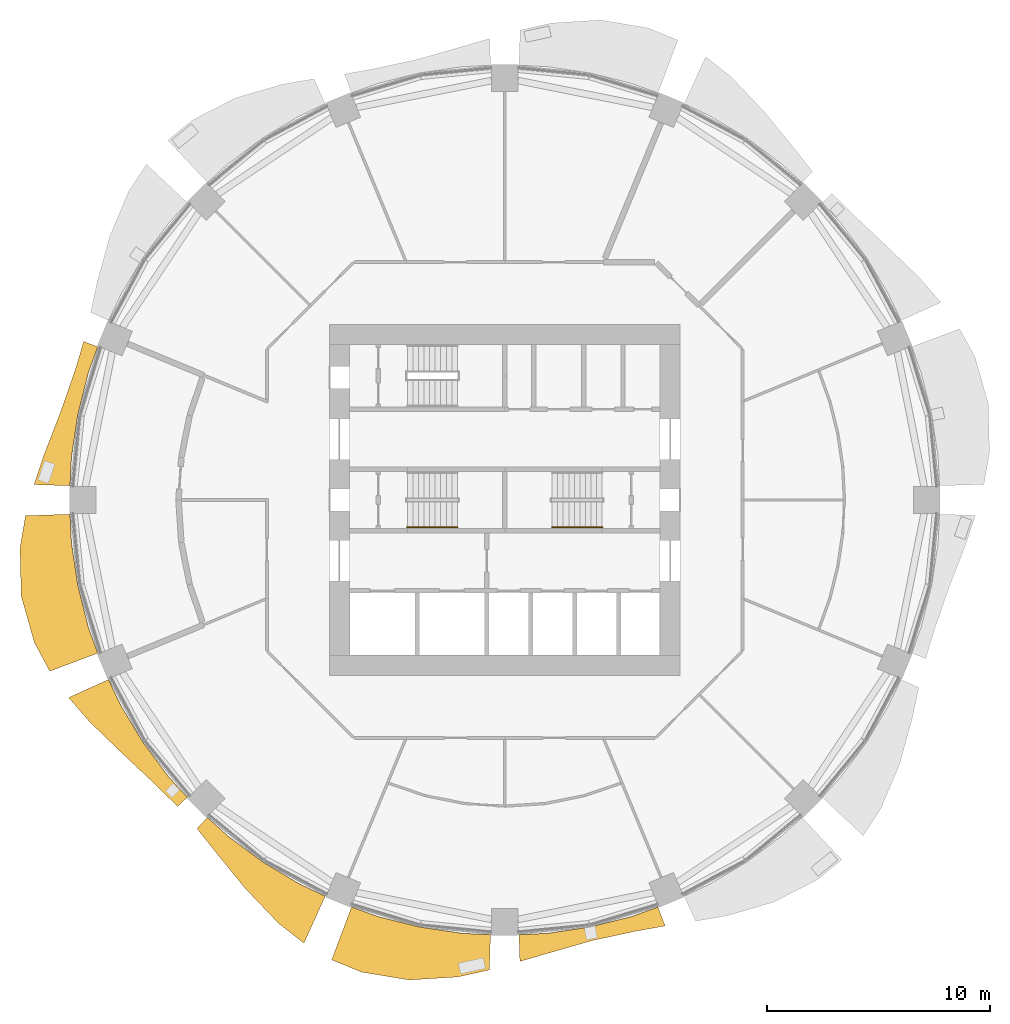
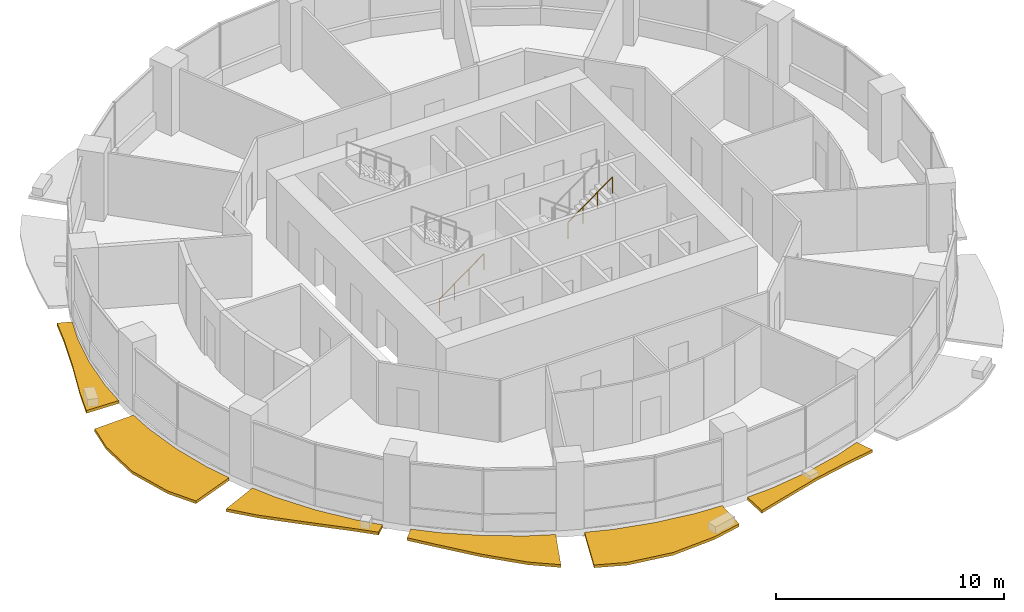
# One storey, part 12 of 15: 6 shading devices, 2 railings.
"""IFC4 building model written with IfcOpenShell, lengths in metres."""

from ifc_helpers import new_model, si_unit, direction, frame, origin, origin_2d, place, context, subcontext, project, spatial, polyline, circle, outline, extrude, material, type_object, element, save


model = new_model("IFC4")

# Units and contexts
model_context = context("Model", 3, precision=1e-05, world=origin(), true_north=direction((0.0, 1.0)))
body_context = subcontext(model_context, "Body", "Model", "MODEL_VIEW")
ifc_project = project(units=[si_unit("LENGTHUNIT", "METRE"), si_unit("AREAUNIT", "SQUARE_METRE"), si_unit("VOLUMEUNIT", "CUBIC_METRE"), si_unit("PLANEANGLEUNIT", "RADIAN"), si_unit("MASSUNIT", "GRAM", prefix="KILO")], contexts=[model_context])

# Site, building, storey
site_placement = place(None, origin())
site = spatial("IfcSite", under=ifc_project, at=site_placement, CompositionType="ELEMENT")
building_placement = place(site_placement, origin())
building = spatial("IfcBuilding", under=site, at=building_placement, Name="Polderwave Tower", CompositionType="ELEMENT")
storey_placement = place(building_placement, frame((0.0, 0.0, 59.050048828125)))
storey = spatial("IfcBuildingStorey", under=building, at=storey_placement, Name="L15", CompositionType="ELEMENT", Elevation=59.050048828125)

# Railings
ifc_material_1 = material(Name="Stainless steel", Category="steel")
railing_type = type_object("IfcRailingType", Name="Stair handrail 900", PredefinedType="HANDRAIL", material=ifc_material_1)
railing_1_placement = place(storey_placement, frame((-4.3740234375, -1.22509765625, 0.182373046875)))
element("IfcRailing", 1, at=railing_1_placement, inside=storey, type_object=railing_type, Name="L15 ST-A stair handrail 1", PredefinedType="HANDRAIL", context=body_context, shape_type="SweptSolid", body=[
    extrude(circle(Radius=0.02392578125, at=origin_2d()), frame((0.0, 0.0, 0.8759765625), z_axis=(0.807673635365, 0.0, 0.58962979804), x_axis=(0.0, 1.0, 0.0)), (0.0, 0.0, 1.0), 2.785888671875),
    extrude(circle(Radius=0.02099609375, at=origin_2d()), origin(), (0.0, 0.0, 1.0), 0.851806640625),
    extrude(circle(Radius=0.02099609375, at=origin_2d()), frame((0.75, 0.0, 0.547607421875)), (0.0, 0.0, 1.0), 0.851806640625),
    extrude(circle(Radius=0.02099609375, at=origin_2d()), frame((1.5, 0.0, 1.094970703125)), (0.0, 0.0, 1.0), 0.851806640625),
    extrude(circle(Radius=0.02099609375, at=origin_2d()), frame((2.25, 0.0, 1.642578125)), (0.0, 0.0, 1.0), 0.851806640625),
])
railing_2_placement = place(storey_placement, frame((2.1240234375, -1.22509765625, 2.007568359375)))
element("IfcRailing", 2, at=railing_2_placement, inside=storey, type_object=railing_type, Name="L15 ST-B stair handrail 2", PredefinedType="HANDRAIL", context=body_context, shape_type="SweptSolid", body=[
    extrude(circle(Radius=0.02392578125, at=origin_2d()), frame((0.0, 0.0, 0.8759765625), z_axis=(0.807715371301, 0.0, 0.589572623995), x_axis=(0.0, 1.0, 0.0)), (0.0, 0.0, 1.0), 2.78564453125),
    extrude(circle(Radius=0.02099609375, at=origin_2d()), origin(), (0.0, 0.0, 1.0), 0.851806640625),
    extrude(circle(Radius=0.02099609375, at=origin_2d()), frame((0.75, 0.0, 0.54736328125)), (0.0, 0.0, 1.0), 0.851806640625),
    extrude(circle(Radius=0.02099609375, at=origin_2d()), frame((1.5, 0.0, 1.094970703125)), (0.0, 0.0, 1.0), 0.851806640625),
    extrude(circle(Radius=0.02099609375, at=origin_2d()), frame((2.25, 0.0, 1.642333984375)), (0.0, 0.0, 1.0), 0.851806640625),
])

# Shading devices
ifc_material_2 = material(Name="Terracotta", Category="masonry")
shading_device_type = type_object("IfcShadingDeviceType", Name="Terracotta sunshade band", PredefinedType="USERDEFINED", material=ifc_material_2)
shading_device_1_placement = place(storey_placement, frame((0.0, 0.0, -0.35009765625)))
element("IfcShadingDevice", 3, at=shading_device_1_placement, inside=storey, type_object=shading_device_type, Name="Sunshade band L15 8", ObjectType="SUNSHADE", PredefinedType="USERDEFINED", context=body_context, shape_type="SweptSolid", body=[
    extrude(outline(polyline([(-18.267822265625, 6.8759765625), (-18.698486328125, 5.672119140625), (-19.16455078125, 3.81201171875), (-19.44580078125, 1.915283203125), (-19.508544921875, 0.63818359375), (-21.124755859375, 0.691162109375), (-20.6728515625, 2.0361328125), (-19.927490234375, 3.9638671875), (-19.27294921875, 5.846435546875), (-18.894775390625, 7.112060546875), (-18.267822265625, 6.8759765625)])), origin(), (0.0, 0.0, 1.0), 0.150146484375),
])
shading_device_2_placement = place(storey_placement, frame((0.0, 0.0, -0.35009765625)))
element("IfcShadingDevice", 4, at=shading_device_2_placement, inside=storey, type_object=shading_device_type, Name="Sunshade band L15 9", ObjectType="SUNSHADE", PredefinedType="USERDEFINED", context=body_context, shape_type="SweptSolid", body=[
    extrude(outline(polyline([(-19.508544921875, -0.63818359375), (-19.44580078125, -1.915283203125), (-19.16455078125, -3.81201171875), (-18.698486328125, -5.672119140625), (-18.267822265625, -6.8759765625), (-20.415771484375, -7.684326171875), (-21.107421875, -6.40283203125), (-21.69873046875, -4.316162109375), (-21.753662109375, -2.142578125), (-21.505615234375, -0.70361328125), (-19.508544921875, -0.63818359375)])), origin(), (0.0, 0.0, 1.0), 0.150146484375),
])
shading_device_3_placement = place(storey_placement, frame((0.0, 0.0, -0.35009765625)))
element("IfcShadingDevice", 5, at=shading_device_3_placement, inside=storey, type_object=shading_device_type, Name="Sunshade band L15 10", ObjectType="SUNSHADE", PredefinedType="USERDEFINED", context=body_context, shape_type="SweptSolid", body=[
    extrude(outline(polyline([(-17.779296875, -8.055419921875), (-17.232666015625, -9.211181640625), (-16.246826171875, -10.855712890625), (-15.1044921875, -12.39599609375), (-14.24609375, -13.343505859375), (-14.68408203125, -13.753662109375), (-15.622314453125, -12.821044921875), (-17.103759765625, -11.428466796875), (-18.62890625, -9.95751953125), (-19.5712890625, -8.8671875), (-17.779296875, -8.055419921875)])), origin(), (0.0, 0.0, 1.0), 0.150146484375),
])
shading_device_4_placement = place(storey_placement, frame((0.0, 0.0, -0.35009765625)))
element("IfcShadingDevice", 6, at=shading_device_4_placement, inside=storey, type_object=shading_device_type, Name="Sunshade band L15 11", ObjectType="SUNSHADE", PredefinedType="USERDEFINED", context=body_context, shape_type="SweptSolid", body=[
    extrude(outline(polyline([(-13.343505859375, -14.24609375), (-12.39599609375, -15.1044921875), (-10.855712890625, -16.246826171875), (-9.211181640625, -17.232666015625), (-8.055419921875, -17.779296875), (-9.01220703125, -19.8916015625), (-10.153076171875, -18.9951171875), (-11.6455078125, -17.4287109375), (-12.97021484375, -15.80419921875), (-13.81005859375, -14.744140625), (-13.343505859375, -14.24609375)])), origin(), (0.0, 0.0, 1.0), 0.150146484375),
])
shading_device_5_placement = place(storey_placement, frame((0.0, 0.0, -0.35009765625)))
element("IfcShadingDevice", 7, at=shading_device_5_placement, inside=storey, type_object=shading_device_type, Name="Sunshade band L15 12", ObjectType="SUNSHADE", PredefinedType="USERDEFINED", context=body_context, shape_type="SweptSolid", body=[
    extrude(outline(polyline([(-6.8759765625, -18.267822265625), (-5.672119140625, -18.698486328125), (-3.81201171875, -19.16455078125), (-1.915283203125, -19.44580078125), (-0.63818359375, -19.508544921875), (-0.68994140625, -21.0908203125), (-2.108154296875, -21.403564453125), (-4.28466796875, -21.5400390625), (-6.427001953125, -21.1865234375), (-7.767333984375, -20.6357421875), (-6.8759765625, -18.267822265625)])), origin(), (0.0, 0.0, 1.0), 0.150146484375),
])
shading_device_6_placement = place(storey_placement, frame((0.0, 0.0, -0.35009765625)))
element("IfcShadingDevice", 8, at=shading_device_6_placement, inside=storey, type_object=shading_device_type, Name="Sunshade band L15 13", ObjectType="SUNSHADE", PredefinedType="USERDEFINED", context=body_context, shape_type="SweptSolid", body=[
    extrude(outline(polyline([(0.63818359375, -19.508544921875), (1.915283203125, -19.44580078125), (3.81201171875, -19.16455078125), (5.672119140625, -18.698486328125), (6.8759765625, -18.267822265625), (7.19482421875, -19.114990234375), (5.870361328125, -19.351806640625), (3.932373046875, -19.768798828125), (2.001708984375, -20.32275390625), (0.677490234375, -20.7099609375), (0.63818359375, -19.508544921875)])), origin(), (0.0, 0.0, 1.0), 0.150146484375),
])

save(model, "model.ifc")
